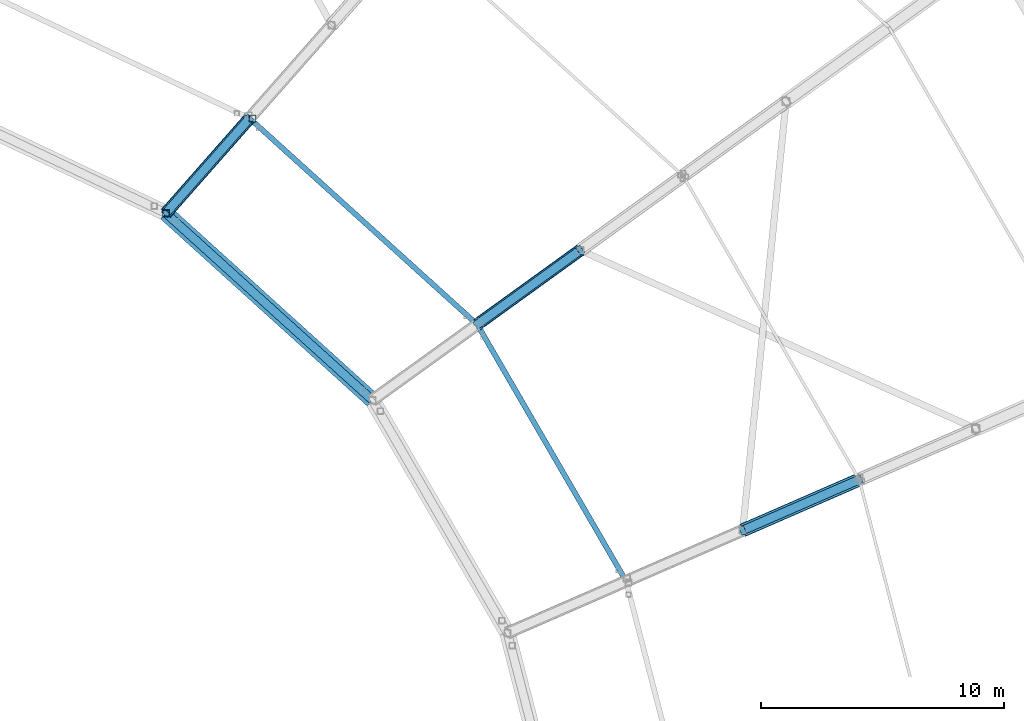
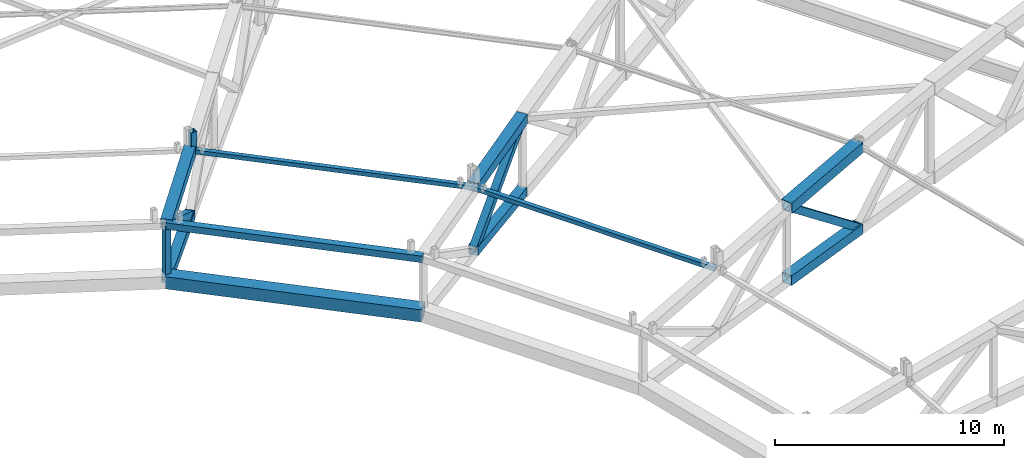
# One storey, part 61 of 162: 15 members.
"""IFC4 building model written with IfcOpenShell, lengths in metres."""

from ifc_helpers import new_model, si_unit, direction, frame, origin, origin_2d, place, context, subcontext, project, spatial, hollow_rectangle, extrude, material, material_profile, profile_set, type_object, element, save


model = new_model("IFC4")

# Units and contexts
model_context = context("Model", 3, precision=1e-05, world=origin(), true_north=direction((0.0, 1.0)))
body_context = subcontext(model_context, "Body", "Model", "MODEL_VIEW")
ifc_project = project(units=[si_unit("LENGTHUNIT", "METRE"), si_unit("AREAUNIT", "SQUARE_METRE"), si_unit("VOLUMEUNIT", "CUBIC_METRE"), si_unit("PLANEANGLEUNIT", "RADIAN"), si_unit("MASSUNIT", "GRAM", prefix="KILO")], contexts=[model_context])

# Site, building, storey
site_placement = place(None, origin())
site = spatial("IfcSite", under=ifc_project, at=site_placement, CompositionType="ELEMENT")
building_placement = place(site_placement, origin())
building = spatial("IfcBuilding", under=site, at=building_placement, Name="Kazemori Nagisa Stadium", CompositionType="ELEMENT")
storey_placement = place(building_placement, frame((0.0, 0.0, 36.719970703125)))
storey = spatial("IfcBuildingStorey", under=building, at=storey_placement, Name="RF", CompositionType="ELEMENT", Elevation=36.719970703125)

# Members
ifc_material = material(Name="Steel STKR490", Category="steel")
ifc_material_profile_1 = material_profile(ifc_material, hollow_rectangle(XDim=0.280029296875, YDim=0.280029296875, WallThickness=0.010009765625, at=origin_2d()), Name="SHS-280x280x10")
ifc_profile_set_1 = profile_set([ifc_material_profile_1], Name="Steel STKR490")
member_type_1 = type_object("IfcMemberType", Name="Member_ST-SHS280", PredefinedType="STUD", material=ifc_profile_set_1)
member_1_placement = place(storey_placement, frame((160.05224609375, 143.91357421875, 4.97509765625), z_axis=(0.0, 0.0, 1.0), x_axis=(1.0, 0.0, 0.0)))
element("IfcMember", 1, at=member_1_placement, inside=storey, type_object=member_type_1, Name="Canopy bearing stool B04-inner-3", PredefinedType="STUD", context=body_context, shape_type="SweptSolid", body=[
    extrude(hollow_rectangle(XDim=0.280029296875, YDim=0.280029296875, WallThickness=0.010009765625, at=origin_2d()), origin(), (0.0, 0.0, 1.0), 0.992919921875),
])
ifc_material_profile_2 = material_profile(ifc_material, hollow_rectangle(XDim=0.360107421875, YDim=0.360107421875, WallThickness=0.013916015625, at=origin_2d()), Name="SHS-360x360x14")
ifc_profile_set_2 = profile_set([ifc_material_profile_2], Name="Steel STKR490")
member_type_2 = type_object("IfcMemberType", Name="Member_TB-SHS360", PredefinedType="BRACE", material=ifc_profile_set_2)
member_2_placement = place(storey_placement, frame((185.041748046875, 129.047119140625, 1.090087890625), z_axis=(-0.724495982252, -0.315852241296, 0.612652375633), x_axis=(0.399634648115, -0.916674504951, 0.0)))
element("IfcMember", 2, at=member_2_placement, inside=storey, type_object=member_type_2, Name="Roof space truss diagonal RT-03-7", PredefinedType="BRACE", context=body_context, shape_type="SweptSolid", body=[
    extrude(hollow_rectangle(XDim=0.360107421875, YDim=0.360107421875, WallThickness=0.013916015625, at=origin_2d()), origin(), (0.0, 0.0, 1.0), 6.625),
])
member_3_placement = place(storey_placement, frame((173.551025390625, 138.493896484375, 5.23291015625), z_axis=(-0.658902408191, -0.475675773774, -0.582735081083), x_axis=(0.585330267791, -0.810794966442, 0.0)))
element("IfcMember", 3, at=member_3_placement, inside=storey, type_object=member_type_2, Name="Roof space truss diagonal RT-04-8", PredefinedType="BRACE", context=body_context, shape_type="SweptSolid", body=[
    extrude(hollow_rectangle(XDim=0.360107421875, YDim=0.360107421875, WallThickness=0.013916015625, at=origin_2d()), origin(), (0.0, 0.0, 1.0), 6.43310546875),
])
member_4_placement = place(storey_placement, frame((159.932861328125, 143.9248046875, 1.55908203125), z_axis=(-0.570565216568, -0.647681746336, 0.504939292496), x_axis=(0.750365637708, -0.661023002434, 0.0)))
element("IfcMember", 4, at=member_4_placement, inside=storey, type_object=member_type_2, Name="Roof space truss diagonal RT-05-9", PredefinedType="BRACE", context=body_context, shape_type="SweptSolid", body=[
    extrude(hollow_rectangle(XDim=0.360107421875, YDim=0.360107421875, WallThickness=0.013916015625, at=origin_2d()), origin(), (0.0, 0.0, 1.0), 6.0341796875),
])
ifc_material_profile_3 = material_profile(ifc_material, hollow_rectangle(XDim=0.35009765625, YDim=0.35009765625, WallThickness=0.01611328125, at=origin_2d()), Name="SHS-350x350x16")
ifc_profile_set_3 = profile_set([ifc_material_profile_3], Name="Steel STKR490")
member_type_3 = type_object("IfcMemberType", Name="Member_TC-SHS350", PredefinedType="CHORD", material=ifc_profile_set_3)
member_5_placement = place(storey_placement, frame((164.9951171875, 132.317138671875, 4.510986328125), z_axis=(-0.74132179778, 0.671098703579, 0.008277813225), x_axis=(-0.671121697338, -0.741347197582, 0.0)))
element("IfcMember", 5, at=member_5_placement, inside=storey, type_object=member_type_3, Name="Roof tension ring beam upper TR-04", PredefinedType="CHORD", context=body_context, shape_type="SweptSolid", body=[
    extrude(hollow_rectangle(XDim=0.35009765625, YDim=0.35009765625, WallThickness=0.01611328125, at=origin_2d()), origin(), (0.0, 0.0, 1.0), 11.472900390625),
])
ifc_material_profile_4 = material_profile(ifc_material, hollow_rectangle(XDim=0.4599609375, YDim=0.4599609375, WallThickness=0.01611328125, at=origin_2d()), Name="SHS-460x460x16")
ifc_profile_set_4 = profile_set([ifc_material_profile_4], Name="Steel STKR490")
member_type_4 = type_object("IfcMemberType", Name="Member_TC-SHS460", PredefinedType="CHORD", material=ifc_profile_set_4)
member_6_placement = place(storey_placement, frame((173.551025390625, 138.493896484375, 1.3271484375), z_axis=(-0.810429681299, -0.585066560615, 0.030014185294), x_axis=(0.585330267791, -0.810794966442, 0.0)))
element("IfcMember", 6, at=member_6_placement, inside=storey, type_object=member_type_4, Name="Roof space truss bottom chord RT-04-8", PredefinedType="CHORD", context=body_context, shape_type="SweptSolid", body=[
    extrude(hollow_rectangle(XDim=0.4599609375, YDim=0.4599609375, WallThickness=0.01611328125, at=origin_2d()), origin(), (0.0, 0.0, 1.0), 5.230224609375),
])
member_7_placement = place(storey_placement, frame((159.932861328125, 143.9248046875, 1.55908203125), z_axis=(-0.660823694576, -0.750139391772, 0.024554787687), x_axis=(0.750365637708, -0.661023002434, 0.0)))
element("IfcMember", 7, at=member_7_placement, inside=storey, type_object=member_type_4, Name="Roof space truss bottom chord RT-05-9", PredefinedType="CHORD", context=body_context, shape_type="SweptSolid", body=[
    extrude(hollow_rectangle(XDim=0.4599609375, YDim=0.4599609375, WallThickness=0.01611328125, at=origin_2d()), origin(), (0.0, 0.0, 1.0), 5.2099609375),
])
ifc_material_profile_5 = material_profile(ifc_material, hollow_rectangle(XDim=0.52001953125, YDim=0.52001953125, WallThickness=0.01904296875, at=origin_2d()), Name="SHS-520x520x19")
ifc_profile_set_5 = profile_set([ifc_material_profile_5], Name="Steel STKR490")
member_type_5 = type_object("IfcMemberType", Name="Member_TC-SHS520", PredefinedType="CHORD", material=ifc_profile_set_5)
member_8_placement = place(storey_placement, frame((185.041748046875, 129.047119140625, 1.090087890625), z_axis=(-0.916071974123, -0.399371967966, 0.036251474866), x_axis=(0.399634648115, -0.916674504951, 0.0)))
element("IfcMember", 8, at=member_8_placement, inside=storey, type_object=member_type_5, Name="Roof space truss bottom chord RT-03-7", PredefinedType="CHORD", context=body_context, shape_type="SweptSolid", body=[
    extrude(hollow_rectangle(XDim=0.52001953125, YDim=0.52001953125, WallThickness=0.01904296875, at=origin_2d()), origin(), (0.0, 0.0, 1.0), 5.239501953125),
])
member_9_placement = place(storey_placement, frame((173.551025390625, 138.493896484375, 5.23291015625), z_axis=(-0.808870527462, -0.583940974036, -0.068857887316), x_axis=(0.585330267791, -0.810794966442, 0.0)))
element("IfcMember", 9, at=member_9_placement, inside=storey, type_object=member_type_5, Name="Roof space truss top chord RT-04-8", PredefinedType="CHORD", context=body_context, shape_type="SweptSolid", body=[
    extrude(hollow_rectangle(XDim=0.52001953125, YDim=0.52001953125, WallThickness=0.01904296875, at=origin_2d()), origin(), (0.0, 0.0, 1.0), 5.240234375),
])
member_10_placement = place(storey_placement, frame((159.932861328125, 143.9248046875, 4.97509765625), z_axis=(-0.659369025318, -0.748488112132, -0.070696778207), x_axis=(0.750365637708, -0.661023002434, 0.0)))
element("IfcMember", 10, at=member_10_placement, inside=storey, type_object=member_type_5, Name="Roof space truss top chord RT-05-9", PredefinedType="CHORD", context=body_context, shape_type="SweptSolid", body=[
    extrude(hollow_rectangle(XDim=0.52001953125, YDim=0.52001953125, WallThickness=0.01904296875, at=origin_2d()), origin(), (0.0, 0.0, 1.0), 5.221435546875),
])
ifc_material_profile_6 = material_profile(ifc_material, hollow_rectangle(XDim=0.56005859375, YDim=0.56005859375, WallThickness=0.02001953125, at=origin_2d()), Name="SHS-560x560x20")
ifc_profile_set_6 = profile_set([ifc_material_profile_6], Name="Steel STKR490")
member_type_6 = type_object("IfcMemberType", Name="Member_TC-SHS560", PredefinedType="CHORD", material=ifc_profile_set_6)
member_11_placement = place(storey_placement, frame((185.041748046875, 129.047119140625, 5.4521484375), z_axis=(-0.915141297302, -0.398966228849, -0.057813097215), x_axis=(0.399634648115, -0.916674504951, 0.0)))
element("IfcMember", 11, at=member_11_placement, inside=storey, type_object=member_type_6, Name="Roof space truss top chord RT-03-7", PredefinedType="CHORD", context=body_context, shape_type="SweptSolid", body=[
    extrude(hollow_rectangle(XDim=0.56005859375, YDim=0.56005859375, WallThickness=0.02001953125, at=origin_2d()), origin(), (0.0, 0.0, 1.0), 5.244873046875),
])
ifc_material_profile_7 = material_profile(ifc_material, hollow_rectangle(XDim=0.64990234375, YDim=0.64990234375, WallThickness=0.02490234375, at=origin_2d()), Name="SHS-650x650x25")
ifc_profile_set_7 = profile_set([ifc_material_profile_7], Name="Steel STKR490")
member_type_7 = type_object("IfcMemberType", Name="Member_TC-SHS650", PredefinedType="CHORD", material=ifc_profile_set_7)
member_12_placement = place(storey_placement, frame((164.9951171875, 132.317138671875, 1.60009765625), z_axis=(-0.741325924287, 0.671102439195, 0.007575624452), x_axis=(-0.671121697338, -0.741347197582, 0.0)))
element("IfcMember", 12, at=member_12_placement, inside=storey, type_object=member_type_7, Name="Roof tension ring beam lower TR-04", PredefinedType="CHORD", context=body_context, shape_type="SweptSolid", body=[
    extrude(hollow_rectangle(XDim=0.64990234375, YDim=0.64990234375, WallThickness=0.02490234375, at=origin_2d()), origin(), (0.0, 0.0, 1.0), 11.472900390625),
])
ifc_material_profile_8 = material_profile(ifc_material, hollow_rectangle(XDim=0.219970703125, YDim=0.219970703125, WallThickness=0.009033203125, at=origin_2d()), Name="SHS-220x220x9")
ifc_profile_set_8 = profile_set([ifc_material_profile_8], Name="Steel STKR490")
member_type_8 = type_object("IfcMemberType", Name="Member_TP-SHS220", PredefinedType="PURLIN", material=ifc_profile_set_8)
member_13_placement = place(storey_placement, frame((175.442138671875, 124.8623046875, 4.7939453125), z_axis=(-0.501609468203, 0.865070558493, 0.006392983504), x_axis=(-0.865088236855, -0.501619718966, 0.0)))
element("IfcMember", 13, at=member_13_placement, inside=storey, type_object=member_type_8, Name="Roof purlin TP-SHS220 B03-P8", PredefinedType="PURLIN", context=body_context, shape_type="SweptSolid", body=[
    extrude(hollow_rectangle(XDim=0.219970703125, YDim=0.219970703125, WallThickness=0.009033203125, at=origin_2d()), origin(), (0.0, 0.0, 1.0), 12.220458984375),
])
member_14_placement = place(storey_placement, frame((169.312255859375, 135.433837890625, 4.8720703125), z_axis=(-0.741320535874, 0.671101747024, 0.008142986781), x_axis=(-0.671123997916, -0.741345114924, 0.0)))
element("IfcMember", 14, at=member_14_placement, inside=storey, type_object=member_type_8, Name="Roof purlin TP-SHS220 B04-P8", PredefinedType="PURLIN", context=body_context, shape_type="SweptSolid", body=[
    extrude(hollow_rectangle(XDim=0.219970703125, YDim=0.219970703125, WallThickness=0.009033203125, at=origin_2d()), origin(), (0.0, 0.0, 1.0), 12.65234375),
])
ifc_material_profile_9 = material_profile(ifc_material, hollow_rectangle(XDim=0.280029296875, YDim=0.280029296875, WallThickness=0.010009765625, at=origin_2d()), Name="SHS-280x280x10")
ifc_profile_set_9 = profile_set([ifc_material_profile_9], Name="Steel STKR490")
member_type_9 = type_object("IfcMemberType", Name="Member_TS-SHS280", PredefinedType="STRUT", material=ifc_profile_set_9)
member_15_placement = place(storey_placement, frame((156.489990234375, 140.0166015625, 1.68701171875), z_axis=(0.0, 0.0, 1.0), x_axis=(1.0, 0.0, 0.0)))
element("IfcMember", 15, at=member_15_placement, inside=storey, type_object=member_type_9, Name="Roof space truss strut RT-05-10", PredefinedType="STRUT", context=body_context, shape_type="SweptSolid", body=[
    extrude(hollow_rectangle(XDim=0.280029296875, YDim=0.280029296875, WallThickness=0.010009765625, at=origin_2d()), origin(), (0.0, 0.0, 1.0), 2.9189453125),
])

save(model, "model.ifc")
